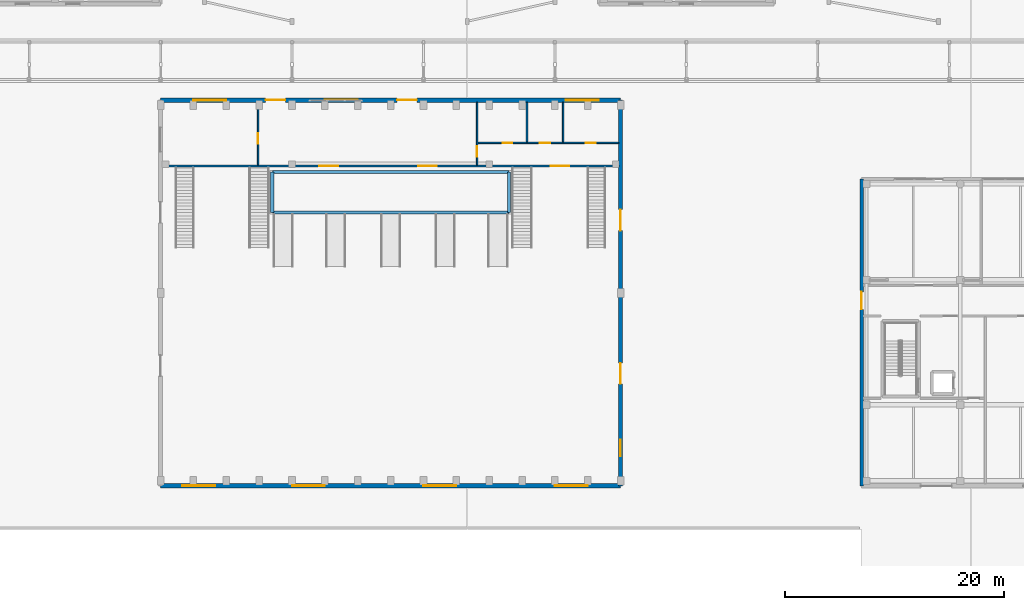
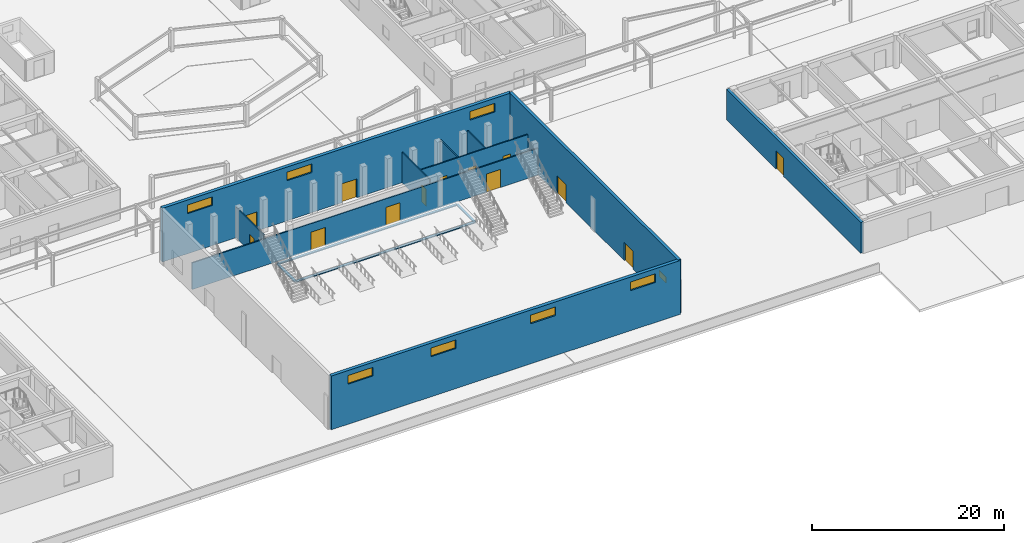
# One storey, part 77 of 114: 14 walls, 13 doors, 8 windows, 21 openings.
"""IFC4 building model written with IfcOpenShell, lengths in metres."""

from ifc_helpers import new_model, si_unit, direction, frame, frame_2d, origin, place, context, subcontext, project, spatial, rectangle, extrude, material, layer, layer_set, type_object, element, fill, save


model = new_model("IFC4")

# Units and contexts
model_context = context("Model", 3, precision=1e-05, world=origin(), true_north=direction((0.0, 1.0)))
body_context = subcontext(model_context, "Body", "Model", "MODEL_VIEW")
ifc_project = project(units=[si_unit("LENGTHUNIT", "METRE"), si_unit("AREAUNIT", "SQUARE_METRE"), si_unit("VOLUMEUNIT", "CUBIC_METRE"), si_unit("PLANEANGLEUNIT", "RADIAN"), si_unit("MASSUNIT", "GRAM", prefix="KILO")], contexts=[model_context])

# Site, building, storey
site_placement = place(None, origin())
site = spatial("IfcSite", under=ifc_project, at=site_placement, CompositionType="ELEMENT")
building_placement = place(site_placement, origin())
building = spatial("IfcBuilding", under=site, at=building_placement, Name="Keldmere Railside Commons", CompositionType="ELEMENT")
storey_placement = place(building_placement, origin())
storey = spatial("IfcBuildingStorey", under=building, at=storey_placement, Name="L00", CompositionType="ELEMENT", Elevation=0.0)

# Wall, openings, windows
ifc_material_1 = material(Name="Terracotta Brick Masonry", Category="masonry")
ifc_layer_1 = layer(ifc_material_1, 0.39990234375, Name="Civic Brick Cavity Wall 400")
ifc_layer_set_1 = layer_set([ifc_layer_1], Name="Terracotta Brick Masonry")
wall_type_1 = type_object("IfcWallType", Name="Civic Brick Cavity Wall 400", PredefinedType="SOLIDWALL", material=ifc_layer_set_1)
wall_1_placement = place(storey_placement, frame((106.0, 12.0, 0.0), z_axis=(0.0, 0.0, 1.0), x_axis=(-1.0, 0.0, 0.0)))
wall_1 = element("IfcWall", 1, at=wall_1_placement, inside=storey, type_object=wall_type_1, Name="EW-3 WAL-HALL-S-L00", PredefinedType="SOLIDWALL", context=body_context, shape_type="SweptSolid", body=[
    extrude(rectangle(XDim=42.0, YDim=0.39990234375, at=frame_2d((21.0, 0.0))), origin(), (0.0, 0.0, 1.0), 6.840087890625),
])
opening_1_placement = place(wall_1_placement, frame((3.0, 0.0, 5.10009765625)))
opening_1 = element("IfcOpeningElement", 2, at=opening_1_placement, cuts=wall_1, Name="Opening WN-30", PredefinedType="OPENING", context=body_context, shape_type="SweptSolid", body=[
    extrude(rectangle(XDim=3.0, YDim=1.10009765625, at=frame_2d((1.5, 0.550048828125))), frame((0.0, 0.2099609375, 0.0), z_axis=(0.0, -1.0, 0.0), x_axis=(1.0, 0.0, 0.0)), (0.0, 0.0, 1.0), 0.419921875),
])
opening_2_placement = place(wall_1_placement, frame((15.0, 0.0, 5.10009765625)))
opening_2 = element("IfcOpeningElement", 3, at=opening_2_placement, cuts=wall_1, Name="Opening WN-30", PredefinedType="OPENING", context=body_context, shape_type="SweptSolid", body=[
    extrude(rectangle(XDim=3.0, YDim=1.10009765625, at=frame_2d((1.5, 0.550048828125))), frame((0.0, 0.2099609375, 0.0), z_axis=(0.0, -1.0, 0.0), x_axis=(1.0, 0.0, 0.0)), (0.0, 0.0, 1.0), 0.419921875),
])
opening_3_placement = place(wall_1_placement, frame((27.0, 0.0, 5.10009765625)))
opening_3 = element("IfcOpeningElement", 4, at=opening_3_placement, cuts=wall_1, Name="Opening WN-30", PredefinedType="OPENING", context=body_context, shape_type="SweptSolid", body=[
    extrude(rectangle(XDim=3.0, YDim=1.10009765625, at=frame_2d((1.5, 0.550048828125))), frame((0.0, 0.2099609375, 0.0), z_axis=(0.0, -1.0, 0.0), x_axis=(1.0, 0.0, 0.0)), (0.0, 0.0, 1.0), 0.419921875),
])
opening_4_placement = place(wall_1_placement, frame((37.0, 0.0, 5.10009765625)))
opening_4 = element("IfcOpeningElement", 5, at=opening_4_placement, cuts=wall_1, Name="Opening WN-30", PredefinedType="OPENING", context=body_context, shape_type="SweptSolid", body=[
    extrude(rectangle(XDim=3.0, YDim=1.10009765625, at=frame_2d((1.5, 0.550048828125))), frame((0.0, 0.2099609375, 0.0), z_axis=(0.0, -1.0, 0.0), x_axis=(1.0, 0.0, 0.0)), (0.0, 0.0, 1.0), 0.419921875),
])
ifc_material_2 = material(Name="Low-E Insulated Double Glazing", Category="glass")
window_type_1 = type_object("IfcWindowType", Name="Community Hall High Clerestory Window 3000x1100", PartitioningType="SINGLE_PANEL", PredefinedType="WINDOW", material=ifc_material_2)
window_1_placement = place(opening_1_placement, origin())
window_1 = element("IfcWindow", 6, at=window_1_placement, inside=storey, type_object=window_type_1, Name="WN-30 WIN-L00-0830", OverallHeight=1.10009765625, OverallWidth=3.0, PartitioningType="SINGLE_PANEL", PredefinedType="WINDOW", context=body_context, shape_type="SweptSolid", body=[
    extrude(rectangle(XDim=3.0, YDim=1.10009765625, at=frame_2d((1.5, 0.550048828125))), frame((0.0, 0.030029296875, 0.0), z_axis=(0.0, -1.0, 0.0), x_axis=(1.0, 0.0, 0.0)), (0.0, 0.0, 1.0), 0.06005859375),
])
fill(opening_1, window_1)
window_2_placement = place(opening_2_placement, origin())
window_2 = element("IfcWindow", 7, at=window_2_placement, inside=storey, type_object=window_type_1, Name="WN-30 WIN-L00-0832", OverallHeight=1.10009765625, OverallWidth=3.0, PartitioningType="SINGLE_PANEL", PredefinedType="WINDOW", context=body_context, shape_type="SweptSolid", body=[
    extrude(rectangle(XDim=3.0, YDim=1.10009765625, at=frame_2d((1.5, 0.550048828125))), frame((0.0, 0.030029296875, 0.0), z_axis=(0.0, -1.0, 0.0), x_axis=(1.0, 0.0, 0.0)), (0.0, 0.0, 1.0), 0.06005859375),
])
fill(opening_2, window_2)
window_3_placement = place(opening_3_placement, origin())
window_3 = element("IfcWindow", 8, at=window_3_placement, inside=storey, type_object=window_type_1, Name="WN-30 WIN-L00-0834", OverallHeight=1.10009765625, OverallWidth=3.0, PartitioningType="SINGLE_PANEL", PredefinedType="WINDOW", context=body_context, shape_type="SweptSolid", body=[
    extrude(rectangle(XDim=3.0, YDim=1.10009765625, at=frame_2d((1.5, 0.550048828125))), frame((0.0, 0.030029296875, 0.0), z_axis=(0.0, -1.0, 0.0), x_axis=(1.0, 0.0, 0.0)), (0.0, 0.0, 1.0), 0.06005859375),
])
fill(opening_3, window_3)
window_4_placement = place(opening_4_placement, origin())
window_4 = element("IfcWindow", 9, at=window_4_placement, inside=storey, type_object=window_type_1, Name="WN-30 WIN-L00-0836", OverallHeight=1.10009765625, OverallWidth=3.0, PartitioningType="SINGLE_PANEL", PredefinedType="WINDOW", context=body_context, shape_type="SweptSolid", body=[
    extrude(rectangle(XDim=3.0, YDim=1.10009765625, at=frame_2d((1.5, 0.550048828125))), frame((0.0, 0.030029296875, 0.0), z_axis=(0.0, -1.0, 0.0), x_axis=(1.0, 0.0, 0.0)), (0.0, 0.0, 1.0), 0.06005859375),
])
fill(opening_4, window_4)

# Wall, openings, windows, doors
wall_2_placement = place(storey_placement, frame((64.0, 47.199951171875, 0.0), z_axis=(0.0, 0.0, 1.0), x_axis=(1.0, 0.0, 0.0)))
wall_2 = element("IfcWall", 10, at=wall_2_placement, inside=storey, type_object=wall_type_1, Name="EW-3 WAL-HALL-N-L00", PredefinedType="SOLIDWALL", context=body_context, shape_type="SweptSolid", body=[
    extrude(rectangle(XDim=42.0, YDim=0.39990234375, at=frame_2d((21.0, 0.0))), origin(), (0.0, 0.0, 1.0), 6.840087890625),
])
opening_5_placement = place(wall_2_placement, frame((9.60009765625, 0.0, 0.0)))
opening_5 = element("IfcOpeningElement", 11, at=opening_5_placement, cuts=wall_2, Name="Opening ED-01", PredefinedType="OPENING", context=body_context, shape_type="SweptSolid", body=[
    extrude(rectangle(XDim=1.800048828125, YDim=2.39990234375, at=frame_2d((0.89990234375, 1.199951171875))), frame((0.0, 0.2099609375, 0.0), z_axis=(0.0, -1.0, 0.0), x_axis=(1.0, 0.0, 0.0)), (0.0, 0.0, 1.0), 0.419921875),
])
opening_6_placement = place(wall_2_placement, frame((21.60009765625, 0.0, 0.0)))
opening_6 = element("IfcOpeningElement", 12, at=opening_6_placement, cuts=wall_2, Name="Opening ED-01", PredefinedType="OPENING", context=body_context, shape_type="SweptSolid", body=[
    extrude(rectangle(XDim=1.800048828125, YDim=2.39990234375, at=frame_2d((0.89990234375, 1.199951171875))), frame((0.0, 0.2099609375, 0.0), z_axis=(0.0, -1.0, 0.0), x_axis=(1.0, 0.0, 0.0)), (0.0, 0.0, 1.0), 0.419921875),
])
opening_7_placement = place(wall_2_placement, frame((3.0, 0.0, 5.10009765625)))
opening_7 = element("IfcOpeningElement", 13, at=opening_7_placement, cuts=wall_2, Name="Opening WN-30", PredefinedType="OPENING", context=body_context, shape_type="SweptSolid", body=[
    extrude(rectangle(XDim=3.0, YDim=1.10009765625, at=frame_2d((1.5, 0.550048828125))), frame((0.0, 0.2099609375, 0.0), z_axis=(0.0, -1.0, 0.0), x_axis=(1.0, 0.0, 0.0)), (0.0, 0.0, 1.0), 0.419921875),
])
opening_8_placement = place(wall_2_placement, frame((15.0, 0.0, 5.10009765625)))
opening_8 = element("IfcOpeningElement", 14, at=opening_8_placement, cuts=wall_2, Name="Opening WN-30", PredefinedType="OPENING", context=body_context, shape_type="SweptSolid", body=[
    extrude(rectangle(XDim=3.0, YDim=1.10009765625, at=frame_2d((1.5, 0.550048828125))), frame((0.0, 0.2099609375, 0.0), z_axis=(0.0, -1.0, 0.0), x_axis=(1.0, 0.0, 0.0)), (0.0, 0.0, 1.0), 0.419921875),
])
opening_9_placement = place(wall_2_placement, frame((37.0, 0.0, 5.10009765625)))
opening_9 = element("IfcOpeningElement", 15, at=opening_9_placement, cuts=wall_2, Name="Opening WN-30", PredefinedType="OPENING", context=body_context, shape_type="SweptSolid", body=[
    extrude(rectangle(XDim=3.0, YDim=1.10009765625, at=frame_2d((1.5, 0.550048828125))), frame((0.0, 0.2099609375, 0.0), z_axis=(0.0, -1.0, 0.0), x_axis=(1.0, 0.0, 0.0)), (0.0, 0.0, 1.0), 0.419921875),
])
window_5_placement = place(opening_7_placement, origin())
window_5 = element("IfcWindow", 16, at=window_5_placement, inside=storey, type_object=window_type_1, Name="WN-30 WIN-L00-0829", OverallHeight=1.10009765625, OverallWidth=3.0, PartitioningType="SINGLE_PANEL", PredefinedType="WINDOW", context=body_context, shape_type="SweptSolid", body=[
    extrude(rectangle(XDim=3.0, YDim=1.10009765625, at=frame_2d((1.5, 0.550048828125))), frame((0.0, 0.030029296875, 0.0), z_axis=(0.0, -1.0, 0.0), x_axis=(1.0, 0.0, 0.0)), (0.0, 0.0, 1.0), 0.06005859375),
])
fill(opening_7, window_5)
window_6_placement = place(opening_8_placement, origin())
window_6 = element("IfcWindow", 17, at=window_6_placement, inside=storey, type_object=window_type_1, Name="WN-30 WIN-L00-0831", OverallHeight=1.10009765625, OverallWidth=3.0, PartitioningType="SINGLE_PANEL", PredefinedType="WINDOW", context=body_context, shape_type="SweptSolid", body=[
    extrude(rectangle(XDim=3.0, YDim=1.10009765625, at=frame_2d((1.5, 0.550048828125))), frame((0.0, 0.030029296875, 0.0), z_axis=(0.0, -1.0, 0.0), x_axis=(1.0, 0.0, 0.0)), (0.0, 0.0, 1.0), 0.06005859375),
])
fill(opening_8, window_6)
window_7_placement = place(opening_9_placement, origin())
window_7 = element("IfcWindow", 18, at=window_7_placement, inside=storey, type_object=window_type_1, Name="WN-30 WIN-L00-0835", OverallHeight=1.10009765625, OverallWidth=3.0, PartitioningType="SINGLE_PANEL", PredefinedType="WINDOW", context=body_context, shape_type="SweptSolid", body=[
    extrude(rectangle(XDim=3.0, YDim=1.10009765625, at=frame_2d((1.5, 0.550048828125))), frame((0.0, 0.030029296875, 0.0), z_axis=(0.0, -1.0, 0.0), x_axis=(1.0, 0.0, 0.0)), (0.0, 0.0, 1.0), 0.06005859375),
])
fill(opening_9, window_7)
ifc_material_3 = material(Name="Thermally Broken Aluminium", Category="aluminium")
door_type_1 = type_object("IfcDoorType", Name="Residential Main Entrance Double Door 1800x2400", OperationType="DOUBLE_DOOR_SINGLE_SWING", PredefinedType="DOOR", material=ifc_material_3)
door_1_placement = place(opening_5_placement, origin())
door_1 = element("IfcDoor", 19, at=door_1_placement, inside=storey, type_object=door_type_1, Name="ED-01 Community Hall Main Entrance 1", OperationType="DOUBLE_DOOR_SINGLE_SWING", OverallHeight=2.39990234375, OverallWidth=1.800048828125, PredefinedType="DOOR", context=body_context, shape_type="SweptSolid", body=[
    extrude(rectangle(XDim=1.800048828125, YDim=2.39990234375, at=frame_2d((0.89990234375, 1.199951171875))), frame((0.0, 0.02490234375, 0.0), z_axis=(0.0, -1.0, 0.0), x_axis=(1.0, 0.0, 0.0)), (0.0, 0.0, 1.0), 0.050048828125),
])
fill(opening_5, door_1)
door_2_placement = place(opening_6_placement, origin())
door_2 = element("IfcDoor", 20, at=door_2_placement, inside=storey, type_object=door_type_1, Name="ED-01 Community Hall Main Entrance 2", OperationType="DOUBLE_DOOR_SINGLE_SWING", OverallHeight=2.39990234375, OverallWidth=1.800048828125, PredefinedType="DOOR", context=body_context, shape_type="SweptSolid", body=[
    extrude(rectangle(XDim=1.800048828125, YDim=2.39990234375, at=frame_2d((0.89990234375, 1.199951171875))), frame((0.0, 0.02490234375, 0.0), z_axis=(0.0, -1.0, 0.0), x_axis=(1.0, 0.0, 0.0)), (0.0, 0.0, 1.0), 0.050048828125),
])
fill(opening_6, door_2)

# Wall, openings, doors
ifc_material_4 = material(Name="Acoustic Gypsum Board Partition", Category="gypsum")
ifc_layer_2 = layer(ifc_material_4, 0.159912109375, Name="Corridor Fire Partition 160")
ifc_layer_set_2 = layer_set([ifc_layer_2], Name="Acoustic Gypsum Board Partition")
wall_type_2 = type_object("IfcWallType", Name="Corridor Fire Partition 160", PredefinedType="PARTITIONING", material=ifc_layer_set_2)
wall_3_placement = place(storey_placement, frame((64.179931640625, 41.199951171875, 0.0), z_axis=(0.0, 0.0, 1.0), x_axis=(1.0, 0.0, 0.0)))
wall_3 = element("IfcWall", 21, at=wall_3_placement, inside=storey, type_object=wall_type_2, Name="IW-2 IW-L00-0093", PredefinedType="PARTITIONING", context=body_context, shape_type="SweptSolid", body=[
    extrude(rectangle(XDim=41.64013671875, YDim=0.159912109375, at=frame_2d((20.820068359375, 0.0))), origin(), (0.0, 0.0, 1.0), 3.389892578125),
])
opening_10_placement = place(wall_3_placement, frame((14.320068359375, 0.0, 0.0)))
opening_10 = element("IfcOpeningElement", 22, at=opening_10_placement, cuts=wall_3, Name="Opening ID-12", PredefinedType="OPENING", context=body_context, shape_type="SweptSolid", body=[
    extrude(rectangle(XDim=1.699951171875, YDim=2.300048828125, at=frame_2d((0.85009765625, 1.14990234375))), frame((0.0, 0.08984375, 0.0), z_axis=(0.0, -1.0, 0.0), x_axis=(1.0, 0.0, 0.0)), (0.0, 0.0, 1.0), 0.179931640625),
])
opening_11_placement = place(wall_3_placement, frame((23.320068359375, 0.0, 0.0)))
opening_11 = element("IfcOpeningElement", 23, at=opening_11_placement, cuts=wall_3, Name="Opening ID-12", PredefinedType="OPENING", context=body_context, shape_type="SweptSolid", body=[
    extrude(rectangle(XDim=1.699951171875, YDim=2.300048828125, at=frame_2d((0.85009765625, 1.14990234375))), frame((0.0, 0.08984375, 0.0), z_axis=(0.0, -1.0, 0.0), x_axis=(1.0, 0.0, 0.0)), (0.0, 0.0, 1.0), 0.179931640625),
])
opening_12_placement = place(wall_3_placement, frame((35.419921875, 0.0, 0.0)))
opening_12 = element("IfcOpeningElement", 24, at=opening_12_placement, cuts=wall_3, Name="Opening ID-12", PredefinedType="OPENING", context=body_context, shape_type="SweptSolid", body=[
    extrude(rectangle(XDim=1.699951171875, YDim=2.300048828125, at=frame_2d((0.85009765625, 1.14990234375))), frame((0.0, 0.08984375, 0.0), z_axis=(0.0, -1.0, 0.0), x_axis=(1.0, 0.0, 0.0)), (0.0, 0.0, 1.0), 0.179931640625),
])
ifc_material_5 = material(Name="Engineered Oak Timber", Category="wood")
door_type_2 = type_object("IfcDoorType", Name="Community Hall Assembly Double Door 1700x2300", OperationType="DOUBLE_DOOR_SINGLE_SWING", PredefinedType="DOOR", material=ifc_material_5)
door_3_placement = place(opening_10_placement, origin())
door_3 = element("IfcDoor", 25, at=door_3_placement, inside=storey, type_object=door_type_2, Name="ID-12 IDR-L00-0027", OperationType="DOUBLE_DOOR_SINGLE_SWING", OverallHeight=2.300048828125, OverallWidth=1.699951171875, PredefinedType="DOOR", context=body_context, shape_type="SweptSolid", body=[
    extrude(rectangle(XDim=1.699951171875, YDim=2.300048828125, at=frame_2d((0.85009765625, 1.14990234375))), frame((0.0, 0.02490234375, 0.0), z_axis=(0.0, -1.0, 0.0), x_axis=(1.0, 0.0, 0.0)), (0.0, 0.0, 1.0), 0.050048828125),
])
fill(opening_10, door_3)
door_4_placement = place(opening_11_placement, origin())
door_4 = element("IfcDoor", 26, at=door_4_placement, inside=storey, type_object=door_type_2, Name="ID-12 IDR-L00-0028", OperationType="DOUBLE_DOOR_SINGLE_SWING", OverallHeight=2.300048828125, OverallWidth=1.699951171875, PredefinedType="DOOR", context=body_context, shape_type="SweptSolid", body=[
    extrude(rectangle(XDim=1.699951171875, YDim=2.300048828125, at=frame_2d((0.85009765625, 1.14990234375))), frame((0.0, 0.02490234375, 0.0), z_axis=(0.0, -1.0, 0.0), x_axis=(1.0, 0.0, 0.0)), (0.0, 0.0, 1.0), 0.050048828125),
])
fill(opening_11, door_4)
door_5_placement = place(opening_12_placement, origin())
door_5 = element("IfcDoor", 27, at=door_5_placement, inside=storey, type_object=door_type_2, Name="ID-12 IDR-L00-0029", OperationType="DOUBLE_DOOR_SINGLE_SWING", OverallHeight=2.300048828125, OverallWidth=1.699951171875, PredefinedType="DOOR", context=body_context, shape_type="SweptSolid", body=[
    extrude(rectangle(XDim=1.699951171875, YDim=2.300048828125, at=frame_2d((0.85009765625, 1.14990234375))), frame((0.0, 0.02490234375, 0.0), z_axis=(0.0, -1.0, 0.0), x_axis=(1.0, 0.0, 0.0)), (0.0, 0.0, 1.0), 0.050048828125),
])
fill(opening_12, door_5)

# Wall, opening, door
ifc_material_6 = material(Name="Concrete H-35 (C35/45)", Category="concrete")
ifc_layer_3 = layer(ifc_material_6, 0.320068359375, Name="Exterior Shear Wall 320")
ifc_layer_set_3 = layer_set([ifc_layer_3], Name="Concrete H-35 (C35/45)")
wall_type_3 = type_object("IfcWallType", Name="Exterior Shear Wall 320", PredefinedType="SHEAR", material=ifc_layer_set_3)
wall_4_placement = place(storey_placement, frame((128.0, 12.0, 0.0), z_axis=(0.0, 0.0, 1.0), x_axis=(0.0, 1.0, 0.0)))
wall_4 = element("IfcWall", 28, at=wall_4_placement, inside=storey, type_object=wall_type_3, Name="ESW-2 ARCW-L00-1006", PredefinedType="SHEAR", context=body_context, shape_type="SweptSolid", body=[
    extrude(rectangle(XDim=28.0, YDim=0.320068359375, at=frame_2d((14.0, 0.0))), origin(), (0.0, 0.0, 1.0), 3.89990234375),
])
opening_13_placement = place(wall_4_placement, frame((16.10009765625, 0.0, 0.0)))
opening_13 = element("IfcOpeningElement", 29, at=opening_13_placement, cuts=wall_4, Name="Opening ED-08", PredefinedType="OPENING", context=body_context, shape_type="SweptSolid", body=[
    extrude(rectangle(XDim=1.60009765625, YDim=2.35009765625, at=frame_2d((0.800048828125, 1.175048828125))), frame((0.0, 0.169921875, 0.0), z_axis=(0.0, -1.0, 0.0), x_axis=(1.0, 0.0, 0.0)), (0.0, 0.0, 1.0), 0.340087890625),
])
door_type_3 = type_object("IfcDoorType", Name="Cafe Terrace Glazed Double Door 1600x2350", OperationType="DOUBLE_DOOR_SINGLE_SWING", PredefinedType="DOOR", material=ifc_material_3)
door_6_placement = place(opening_13_placement, origin())
door_6 = element("IfcDoor", 30, at=door_6_placement, inside=storey, type_object=door_type_3, Name="ED-08 DR-L00-0310", OperationType="DOUBLE_DOOR_SINGLE_SWING", OverallHeight=2.35009765625, OverallWidth=1.60009765625, PredefinedType="DOOR", context=body_context, shape_type="SweptSolid", body=[
    extrude(rectangle(XDim=1.60009765625, YDim=2.35009765625, at=frame_2d((0.800048828125, 1.175048828125))), frame((0.0, 0.02490234375, 0.0), z_axis=(0.0, -1.0, 0.0), x_axis=(1.0, 0.0, 0.0)), (0.0, 0.0, 1.0), 0.050048828125),
])
fill(opening_13, door_6)

# Wall, openings, window, doors
ifc_layer_4 = layer(ifc_material_6, 0.360107421875, Name="Exterior Shear Wall 360")
ifc_layer_set_4 = layer_set([ifc_layer_4], Name="Concrete H-35 (C35/45)")
wall_type_4 = type_object("IfcWallType", Name="Exterior Shear Wall 360", PredefinedType="SHEAR", material=ifc_layer_set_4)
wall_5_placement = place(storey_placement, frame((106.0, 47.199951171875, 0.0), z_axis=(0.0, 0.0, 1.0), x_axis=(0.0, -1.0, 0.0)))
wall_5 = element("IfcWall", 31, at=wall_5_placement, inside=storey, type_object=wall_type_4, Name="ESW-1 WAL-HALL-E-L00", PredefinedType="SHEAR", context=body_context, shape_type="SweptSolid", body=[
    extrude(rectangle(XDim=35.199951171875, YDim=0.360107421875, at=frame_2d((17.60009765625, 0.0))), origin(), (0.0, 0.0, 1.0), 6.840087890625),
])
opening_14_placement = place(wall_5_placement, frame((10.0, 0.0, 0.0)))
opening_14 = element("IfcOpeningElement", 32, at=opening_14_placement, cuts=wall_5, Name="Opening ED-04", PredefinedType="OPENING", context=body_context, shape_type="SweptSolid", body=[
    extrude(rectangle(XDim=1.89990234375, YDim=2.300048828125, at=frame_2d((0.949951171875, 1.14990234375))), frame((0.0, 0.18994140625, 0.0), z_axis=(0.0, -1.0, 0.0), x_axis=(1.0, 0.0, 0.0)), (0.0, 0.0, 1.0), 0.380126953125),
])
opening_15_placement = place(wall_5_placement, frame((24.0, 0.0, 0.0)))
opening_15 = element("IfcOpeningElement", 33, at=opening_15_placement, cuts=wall_5, Name="Opening ED-04", PredefinedType="OPENING", context=body_context, shape_type="SweptSolid", body=[
    extrude(rectangle(XDim=1.89990234375, YDim=2.300048828125, at=frame_2d((0.949951171875, 1.14990234375))), frame((0.0, 0.18994140625, 0.0), z_axis=(0.0, -1.0, 0.0), x_axis=(1.0, 0.0, 0.0)), (0.0, 0.0, 1.0), 0.380126953125),
])
opening_16_placement = place(wall_5_placement, frame((31.0, 0.0, 2.199951171875)))
opening_16 = element("IfcOpeningElement", 34, at=opening_16_placement, cuts=wall_5, Name="Opening WN-32", PredefinedType="OPENING", context=body_context, shape_type="SweptSolid", body=[
    extrude(rectangle(XDim=1.5, YDim=0.75, at=frame_2d((0.75, 0.375))), frame((0.0, 0.18994140625, 0.0), z_axis=(0.0, -1.0, 0.0), x_axis=(1.0, 0.0, 0.0)), (0.0, 0.0, 1.0), 0.380126953125),
])
window_type_2 = type_object("IfcWindowType", Name="Community Hall Changing Clerestory Window 1500x750", PartitioningType="SINGLE_PANEL", PredefinedType="WINDOW", material=ifc_material_2)
window_8_placement = place(opening_16_placement, origin())
window_8 = element("IfcWindow", 35, at=window_8_placement, inside=storey, type_object=window_type_2, Name="WN-32 WIN-L00-0838", OverallHeight=0.75, OverallWidth=1.5, PartitioningType="SINGLE_PANEL", PredefinedType="WINDOW", context=body_context, shape_type="SweptSolid", body=[
    extrude(rectangle(XDim=1.5, YDim=0.75, at=frame_2d((0.75, 0.375))), frame((0.0, 0.030029296875, 0.0), z_axis=(0.0, -1.0, 0.0), x_axis=(1.0, 0.0, 0.0)), (0.0, 0.0, 1.0), 0.06005859375),
])
fill(opening_16, window_8)
ifc_material_7 = material(Name="Steel F-24 (S235)", Category="steel")
door_type_4 = type_object("IfcDoorType", Name="Community Hall Emergency Escape Double Door 1900x2300", OperationType="DOUBLE_DOOR_SINGLE_SWING", PredefinedType="DOOR", material=ifc_material_7)
door_7_placement = place(opening_14_placement, origin())
door_7 = element("IfcDoor", 36, at=door_7_placement, inside=storey, type_object=door_type_4, Name="ED-04 DR-L00-0303", OperationType="DOUBLE_DOOR_SINGLE_SWING", OverallHeight=2.300048828125, OverallWidth=1.89990234375, PredefinedType="DOOR", context=body_context, shape_type="SweptSolid", body=[
    extrude(rectangle(XDim=1.89990234375, YDim=2.300048828125, at=frame_2d((0.949951171875, 1.14990234375))), frame((0.0, 0.02490234375, 0.0), z_axis=(0.0, -1.0, 0.0), x_axis=(1.0, 0.0, 0.0)), (0.0, 0.0, 1.0), 0.050048828125),
])
fill(opening_14, door_7)
door_8_placement = place(opening_15_placement, origin())
door_8 = element("IfcDoor", 37, at=door_8_placement, inside=storey, type_object=door_type_4, Name="ED-04 DR-L00-0305", OperationType="DOUBLE_DOOR_SINGLE_SWING", OverallHeight=2.300048828125, OverallWidth=1.89990234375, PredefinedType="DOOR", context=body_context, shape_type="SweptSolid", body=[
    extrude(rectangle(XDim=1.89990234375, YDim=2.300048828125, at=frame_2d((0.949951171875, 1.14990234375))), frame((0.0, 0.02490234375, 0.0), z_axis=(0.0, -1.0, 0.0), x_axis=(1.0, 0.0, 0.0)), (0.0, 0.0, 1.0), 0.050048828125),
])
fill(opening_15, door_8)

# Walls
ifc_layer_5 = layer(ifc_material_6, 0.300048828125, Name="Interior Shear Wall 300")
ifc_layer_set_5 = layer_set([ifc_layer_5], Name="Concrete H-35 (C35/45)")
wall_type_5 = type_object("IfcWallType", Name="Interior Shear Wall 300", PredefinedType="SHEAR", material=ifc_layer_set_5)
for number, where, z_axis, x_axis, name in (
    (38, (74.199951171875, 36.949951171875, 0.0), (0.0, 0.0, 1.0), (1.0, 0.0, 0.0), "ISW-2 WAL-STAGE-S"),
    (39, (74.199951171875, 40.64990234375, 0.0), (0.0, 0.0, 1.0), (1.0, 0.0, 0.0), "ISW-2 WAL-STAGE-N"),
):
    element("IfcWall", number, at=place(storey_placement, frame(where, z_axis=z_axis, x_axis=x_axis)), inside=storey, type_object=wall_type_5, Name=name, PredefinedType="SHEAR", context=body_context, shape_type="SweptSolid", body=[
        extrude(rectangle(XDim=21.60009765625, YDim=0.300048828125, at=frame_2d((10.800048828125, 0.0))), origin(), (0.0, 0.0, 1.0), 0.1201171875),
    ])
for number, where, z_axis, x_axis, name in (
    (40, (74.199951171875, 36.949951171875, 0.0), (0.0, 0.0, 1.0), (0.0, 1.0, 0.0), "ISW-2 WAL-STAGE-W"),
    (41, (95.800048828125, 36.949951171875, 0.0), (0.0, 0.0, 1.0), (0.0, 1.0, 0.0), "ISW-2 WAL-STAGE-E"),
):
    element("IfcWall", number, at=place(storey_placement, frame(where, z_axis=z_axis, x_axis=x_axis)), inside=storey, type_object=wall_type_5, Name=name, PredefinedType="SHEAR", context=body_context, shape_type="SweptSolid", body=[
        extrude(rectangle(XDim=3.699951171875, YDim=0.300048828125, at=frame_2d((1.85009765625, 0.0))), origin(), (0.0, 0.0, 1.0), 0.1201171875),
    ])

# Wall, opening, door
ifc_layer_6 = layer(ifc_material_4, 0.139892578125, Name="Wet-Room Sanitary Partition 140")
ifc_layer_set_6 = layer_set([ifc_layer_6], Name="Acoustic Gypsum Board Partition")
wall_type_6 = type_object("IfcWallType", Name="Wet-Room Sanitary Partition 140", PredefinedType="PARTITIONING", material=ifc_layer_set_6)
wall_6_placement = place(storey_placement, frame((72.89990234375, 41.280029296875, 0.0), z_axis=(0.0, 0.0, 1.0), x_axis=(0.0, 1.0, 0.0)))
wall_6 = element("IfcWall", 42, at=wall_6_placement, inside=storey, type_object=wall_type_6, Name="IW-5 IW-L00-0094", PredefinedType="PARTITIONING", context=body_context, shape_type="SweptSolid", body=[
    extrude(rectangle(XDim=5.719970703125, YDim=0.139892578125, at=frame_2d((2.85986328125, 0.0))), origin(), (0.0, 0.0, 1.0), 3.8798828125),
])
opening_17_placement = place(wall_6_placement, frame((1.949951171875, 0.0, 0.0)))
opening_17 = element("IfcOpeningElement", 43, at=opening_17_placement, cuts=wall_6, Name="Opening ID-13", PredefinedType="OPENING", context=body_context, shape_type="SweptSolid", body=[
    extrude(rectangle(XDim=0.929931640625, YDim=2.14990234375, at=frame_2d((0.46484375, 1.074951171875))), frame((0.0, 0.079833984375, 0.0), z_axis=(0.0, -1.0, 0.0), x_axis=(1.0, 0.0, 0.0)), (0.0, 0.0, 1.0), 0.159912109375),
])
door_type_5 = type_object("IfcDoorType", Name="Changing & Locker Room Door 930x2150", OperationType="NOTDEFINED", PredefinedType="DOOR", material=ifc_material_5)
door_9_placement = place(opening_17_placement, origin())
door_9 = element("IfcDoor", 44, at=door_9_placement, inside=storey, type_object=door_type_5, Name="ID-13 IDR-L00-0030", OperationType="SINGLE_SWING_RIGHT", OverallHeight=2.14990234375, OverallWidth=0.929931640625, PredefinedType="DOOR", context=body_context, shape_type="SweptSolid", body=[
    extrude(rectangle(XDim=0.929931640625, YDim=2.14990234375, at=frame_2d((0.46484375, 1.074951171875))), frame((0.0, 0.02490234375, 0.0), z_axis=(0.0, -1.0, 0.0), x_axis=(1.0, 0.0, 0.0)), (0.0, 0.0, 1.0), 0.050048828125),
])
fill(opening_17, door_9)

wall_7_placement = place(storey_placement, frame((92.89990234375, 41.280029296875, 0.0), z_axis=(0.0, 0.0, 1.0), x_axis=(0.0, 1.0, 0.0)))
wall_7 = element("IfcWall", 45, at=wall_7_placement, inside=storey, type_object=wall_type_6, Name="IW-5 IW-L00-0095", PredefinedType="PARTITIONING", context=body_context, shape_type="SweptSolid", body=[
    extrude(rectangle(XDim=5.719970703125, YDim=0.139892578125, at=frame_2d((2.85986328125, 0.0))), origin(), (0.0, 0.0, 1.0), 3.8798828125),
])
opening_18_placement = place(wall_7_placement, frame((0.75, 0.0, 0.0)))
opening_18 = element("IfcOpeningElement", 46, at=opening_18_placement, cuts=wall_7, Name="Opening ID-08", PredefinedType="OPENING", context=body_context, shape_type="SweptSolid", body=[
    extrude(rectangle(XDim=0.9599609375, YDim=2.14990234375, at=frame_2d((0.47998046875, 1.074951171875))), frame((0.0, 0.079833984375, 0.0), z_axis=(0.0, -1.0, 0.0), x_axis=(1.0, 0.0, 0.0)), (0.0, 0.0, 1.0), 0.159912109375),
])
door_type_6 = type_object("IfcDoorType", Name="Study & Meeting Room Door 960x2150", OperationType="NOTDEFINED", PredefinedType="DOOR", material=ifc_material_5)
door_10_placement = place(opening_18_placement, origin())
door_10 = element("IfcDoor", 47, at=door_10_placement, inside=storey, type_object=door_type_6, Name="ID-08 IDR-L00-0031", OperationType="SINGLE_SWING_LEFT", OverallHeight=2.14990234375, OverallWidth=0.9599609375, PredefinedType="DOOR", context=body_context, shape_type="SweptSolid", body=[
    extrude(rectangle(XDim=0.9599609375, YDim=2.14990234375, at=frame_2d((0.47998046875, 1.074951171875))), frame((0.0, 0.02490234375, 0.0), z_axis=(0.0, -1.0, 0.0), x_axis=(1.0, 0.0, 0.0)), (0.0, 0.0, 1.0), 0.050048828125),
])
fill(opening_18, door_10)

# Wall, openings, doors
wall_8_placement = place(storey_placement, frame((92.969970703125, 43.300048828125, 0.0), z_axis=(0.0, 0.0, 1.0), x_axis=(1.0, 0.0, 0.0)))
wall_8 = element("IfcWall", 48, at=wall_8_placement, inside=storey, type_object=wall_type_6, Name="IW-5 IW-L00-0096", PredefinedType="PARTITIONING", context=body_context, shape_type="SweptSolid", body=[
    extrude(rectangle(XDim=12.85009765625, YDim=0.139892578125, at=frame_2d((6.425048828125, 0.0))), origin(), (0.0, 0.0, 1.0), 3.8798828125),
])
opening_19_placement = place(wall_8_placement, frame((2.25, 0.0, 0.0)))
opening_19 = element("IfcOpeningElement", 49, at=opening_19_placement, cuts=wall_8, Name="Opening ID-04", PredefinedType="OPENING", context=body_context, shape_type="SweptSolid", body=[
    extrude(rectangle(XDim=0.860107421875, YDim=2.10009765625, at=frame_2d((0.43017578125, 1.050048828125))), frame((0.0, 0.079833984375, 0.0), z_axis=(0.0, -1.0, 0.0), x_axis=(1.0, 0.0, 0.0)), (0.0, 0.0, 1.0), 0.159912109375),
])
opening_20_placement = place(wall_8_placement, frame((5.659912109375, 0.0, 0.0)))
opening_20 = element("IfcOpeningElement", 50, at=opening_20_placement, cuts=wall_8, Name="Opening ID-05", PredefinedType="OPENING", context=body_context, shape_type="SweptSolid", body=[
    extrude(rectangle(XDim=0.93994140625, YDim=2.10009765625, at=frame_2d((0.469970703125, 1.050048828125))), frame((0.0, 0.079833984375, 0.0), z_axis=(0.0, -1.0, 0.0), x_axis=(1.0, 0.0, 0.0)), (0.0, 0.0, 1.0), 0.159912109375),
])
opening_21_placement = place(wall_8_placement, frame((9.830078125, 0.0, 0.0)))
opening_21 = element("IfcOpeningElement", 51, at=opening_21_placement, cuts=wall_8, Name="Opening ID-13", PredefinedType="OPENING", context=body_context, shape_type="SweptSolid", body=[
    extrude(rectangle(XDim=0.929931640625, YDim=2.14990234375, at=frame_2d((0.46484375, 1.074951171875))), frame((0.0, 0.079833984375, 0.0), z_axis=(0.0, -1.0, 0.0), x_axis=(1.0, 0.0, 0.0)), (0.0, 0.0, 1.0), 0.159912109375),
])
door_type_7 = type_object("IfcDoorType", Name="Accessible Bathroom Door 940x2100", OperationType="NOTDEFINED", PredefinedType="DOOR", material=ifc_material_5)
door_11_placement = place(opening_20_placement, origin())
door_11 = element("IfcDoor", 52, at=door_11_placement, inside=storey, type_object=door_type_7, Name="ID-05 IDR-L00-0033", OperationType="SINGLE_SWING_LEFT", OverallHeight=2.10009765625, OverallWidth=0.93994140625, PredefinedType="DOOR", context=body_context, shape_type="SweptSolid", body=[
    extrude(rectangle(XDim=0.93994140625, YDim=2.10009765625, at=frame_2d((0.469970703125, 1.050048828125))), frame((0.0, 0.02490234375, 0.0), z_axis=(0.0, -1.0, 0.0), x_axis=(1.0, 0.0, 0.0)), (0.0, 0.0, 1.0), 0.050048828125),
])
fill(opening_20, door_11)
door_type_8 = type_object("IfcDoorType", Name="Apartment Bathroom Door 860x2100", OperationType="NOTDEFINED", PredefinedType="DOOR", material=ifc_material_5)
door_12_placement = place(opening_19_placement, origin())
door_12 = element("IfcDoor", 53, at=door_12_placement, inside=storey, type_object=door_type_8, Name="ID-04 IDR-L00-0032", OperationType="SINGLE_SWING_RIGHT", OverallHeight=2.10009765625, OverallWidth=0.860107421875, PredefinedType="DOOR", context=body_context, shape_type="SweptSolid", body=[
    extrude(rectangle(XDim=0.860107421875, YDim=2.10009765625, at=frame_2d((0.43017578125, 1.050048828125))), frame((0.0, 0.02490234375, 0.0), z_axis=(0.0, -1.0, 0.0), x_axis=(1.0, 0.0, 0.0)), (0.0, 0.0, 1.0), 0.050048828125),
])
fill(opening_19, door_12)
door_13_placement = place(opening_21_placement, origin())
door_13 = element("IfcDoor", 54, at=door_13_placement, inside=storey, type_object=door_type_5, Name="ID-13 IDR-L00-0034", OperationType="SINGLE_SWING_RIGHT", OverallHeight=2.14990234375, OverallWidth=0.929931640625, PredefinedType="DOOR", context=body_context, shape_type="SweptSolid", body=[
    extrude(rectangle(XDim=0.929931640625, YDim=2.14990234375, at=frame_2d((0.46484375, 1.074951171875))), frame((0.0, 0.02490234375, 0.0), z_axis=(0.0, -1.0, 0.0), x_axis=(1.0, 0.0, 0.0)), (0.0, 0.0, 1.0), 0.050048828125),
])
fill(opening_21, door_13)

# Walls
for number, where, z_axis, x_axis, name in (
    (55, (97.449951171875, 43.3701171875, 0.0), (0.0, 0.0, 1.0), (0.0, 1.0, 0.0), "IW-5 IW-L00-0097"),
    (56, (100.75, 43.3701171875, 0.0), (0.0, 0.0, 1.0), (0.0, 1.0, 0.0), "IW-5 IW-L00-0098"),
):
    element("IfcWall", number, at=place(storey_placement, frame(where, z_axis=z_axis, x_axis=x_axis)), inside=storey, type_object=wall_type_6, Name=name, PredefinedType="PARTITIONING", context=body_context, shape_type="SweptSolid", body=[
        extrude(rectangle(XDim=3.6298828125, YDim=0.139892578125, at=frame_2d((1.81494140625, 0.0))), origin(), (0.0, 0.0, 1.0), 3.8798828125),
    ])

save(model, "model.ifc")
